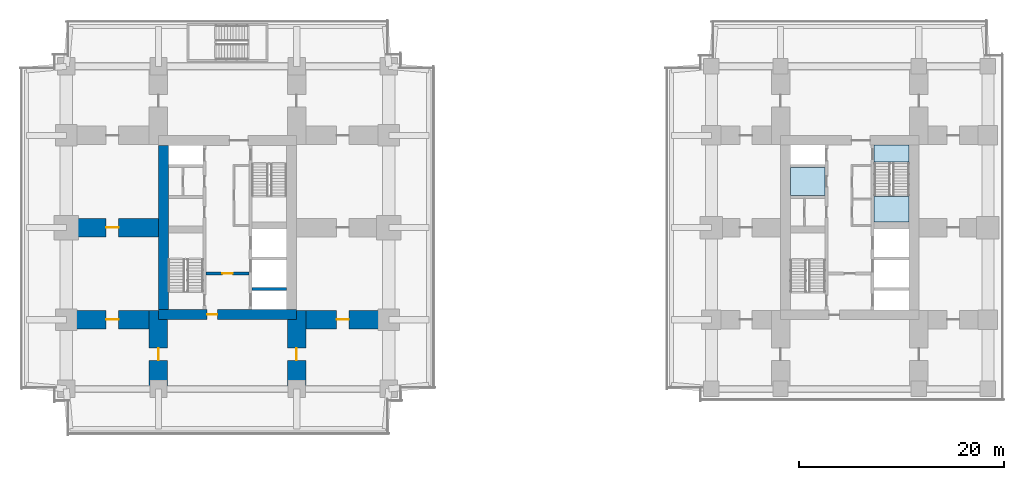
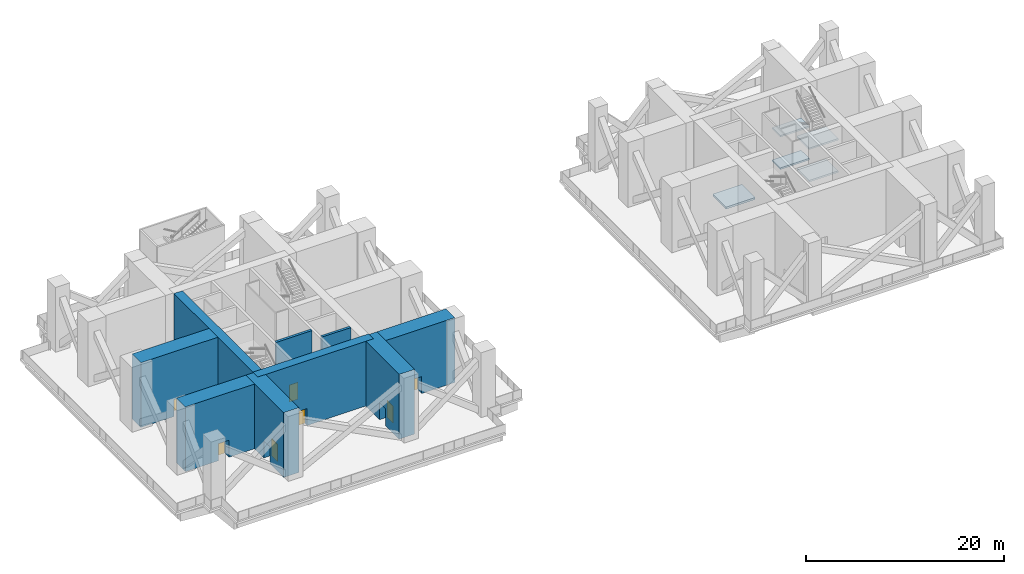
# One storey, part 3 of 11: 9 walls, 7 doors, 5 slabs, 7 openings, 1 element without a shape of its own.
"""IFC4 building model written with IfcOpenShell, lengths in metres."""

from ifc_helpers import new_model, si_unit, direction, frame, frame_2d, origin, place, context, subcontext, project, spatial, polyline, rectangle, outline, extrude, material, layer, layer_set, type_object, element, fill, aggregate, save


model = new_model("IFC4")

# Units and contexts
model_context = context("Model", 3, precision=1e-05, world=origin(), true_north=direction((0.0, 1.0)))
body_context = subcontext(model_context, "Body", "Model", "MODEL_VIEW")
ifc_project = project(units=[si_unit("LENGTHUNIT", "METRE"), si_unit("AREAUNIT", "SQUARE_METRE"), si_unit("VOLUMEUNIT", "CUBIC_METRE"), si_unit("PLANEANGLEUNIT", "RADIAN"), si_unit("MASSUNIT", "GRAM", prefix="KILO")], contexts=[model_context])

# Site, building, storey
site_placement = place(None, origin())
site = spatial("IfcSite", under=ifc_project, at=site_placement, CompositionType="ELEMENT")
building_placement = place(site_placement, origin())
building = spatial("IfcBuilding", under=site, at=building_placement, Name="Namib Vertical Campus", CompositionType="ELEMENT")
storey_placement = place(building_placement, frame((0.0, 0.0, 169.0)))
storey = spatial("IfcBuildingStorey", under=building, at=storey_placement, Name="L40", CompositionType="ELEMENT", Elevation=169.0)

# Slab
ifc_material_1 = material(Name="Concrete C40/50 precast", Category="concrete")
ifc_layer_1 = layer(ifc_material_1, 0.25)
ifc_layer_set_1 = layer_set([ifc_layer_1], Name="Concrete C40/50 precast")
slab_type_1 = type_object("IfcSlabType", Name="Shaft infill floor 250", PredefinedType="FLOOR", material=ifc_layer_set_1)
slab_1_placement = place(storey_placement, frame((0.0, 0.0, -0.25)))
element("IfcSlab", 1, at=slab_1_placement, inside=storey, type_object=slab_type_1, Name="Shaft infill floor B L40 P2", PredefinedType="FLOOR", context=body_context, shape_type="SweptSolid", body=[
    extrude(outline(polyline([(75.199951171875, 23.39990234375), (78.60009765625, 23.39990234375), (78.60009765625, 26.10009765625), (75.199951171875, 26.10009765625), (75.199951171875, 23.39990234375)])), origin(), (0.0, 0.0, 1.0), 0.25),
])

# Stair, slabs
ifc_material_2 = material(Name="Concrete C40/50 precast", Category="concrete")
stair_type = type_object("IfcStairType", Name="Exit stair 8000 rise 48 risers 3400 wide", PredefinedType="HALF_TURN_STAIR", material=ifc_material_2)
stair_placement = place(storey_placement, origin())
stair = element("IfcStair", 2, at=stair_placement, inside=storey, type_object=stair_type, Name="Exit stair B-S2 L40", PredefinedType="HALF_TURN_STAIR")
ifc_material_3 = material(Name="Concrete C40/50", Category="concrete")
ifc_layer_2 = layer(ifc_material_3, 0.199951171875)
ifc_layer_set_2 = layer_set([ifc_layer_2], Name="Concrete C40/50")
slab_type_2 = type_object("IfcSlabType", Name="Stair landing 200", PredefinedType="LANDING", material=ifc_layer_set_2)
slab_2_placement = place(storey_placement, frame((0.0, 0.0, -0.199951171875)))
slab_2 = element("IfcSlab", 3, at=slab_2_placement, type_object=slab_type_2, Name="B-S2 landing 1", PredefinedType="LANDING", context=body_context, shape_type="SweptSolid", body=[
    extrude(outline(polyline([(83.39990234375, 26.64599609375), (86.800048828125, 26.64599609375), (86.800048828125, 28.300048828125), (83.39990234375, 28.300048828125), (83.39990234375, 26.64599609375)])), origin(), (0.0, 0.0, 1.0), 0.199951171875),
])
slab_3_placement = place(storey_placement, frame((0.0, 0.0, 1.800048828125)))
slab_3 = element("IfcSlab", 4, at=slab_3_placement, type_object=slab_type_2, Name="B-S2 landing 2", PredefinedType="LANDING", context=body_context, shape_type="SweptSolid", body=[
    extrude(outline(polyline([(83.39990234375, 20.800048828125), (86.800048828125, 20.800048828125), (86.800048828125, 23.27392578125), (83.39990234375, 23.27392578125), (83.39990234375, 20.800048828125)])), origin(), (0.0, 0.0, 1.0), 0.199951171875),
])
slab_4_placement = place(storey_placement, frame((0.0, 0.0, 3.800048828125)))
slab_4 = element("IfcSlab", 5, at=slab_4_placement, type_object=slab_type_2, Name="B-S2 landing 3", PredefinedType="LANDING", context=body_context, shape_type="SweptSolid", body=[
    extrude(outline(polyline([(83.39990234375, 26.64599609375), (86.800048828125, 26.64599609375), (86.800048828125, 28.300048828125), (83.39990234375, 28.300048828125), (83.39990234375, 26.64599609375)])), origin(), (0.0, 0.0, 1.0), 0.199951171875),
])
slab_5_placement = place(storey_placement, frame((0.0, 0.0, 5.800048828125)))
slab_5 = element("IfcSlab", 6, at=slab_5_placement, type_object=slab_type_2, Name="B-S2 landing 4", PredefinedType="LANDING", context=body_context, shape_type="SweptSolid", body=[
    extrude(outline(polyline([(83.39990234375, 20.800048828125), (86.800048828125, 20.800048828125), (86.800048828125, 23.27392578125), (83.39990234375, 23.27392578125), (83.39990234375, 20.800048828125)])), origin(), (0.0, 0.0, 1.0), 0.199951171875),
])
aggregate(stair, [slab_2, slab_3, slab_4, slab_5])

# Wall, opening, door
ifc_material_4 = material(Name="Concrete C60/75", Category="concrete")
ifc_layer_3 = layer(ifc_material_4, 0.300048828125)
ifc_layer_set_3 = layer_set([ifc_layer_3], Name="Concrete C60/75")
wall_type_1 = type_object("IfcWallType", Name="Core inner wall 300", PredefinedType="SHEAR", material=ifc_layer_set_3)
wall_1_placement = place(storey_placement, frame((18.14990234375, 15.75, 0.0), z_axis=(0.0, 0.0, 1.0), x_axis=(1.0, 0.0, 0.0)))
wall_1 = element("IfcWall", 7, at=wall_1_placement, inside=storey, type_object=wall_type_1, Name="Core inner wall A L40 W4", PredefinedType="SHEAR", context=body_context, shape_type="SweptSolid", body=[
    extrude(rectangle(XDim=4.2001953125, YDim=0.300048828125, at=frame_2d((2.10009765625, 0.0))), origin(), (0.0, 0.0, 1.0), 8.0),
])
opening_1_placement = place(wall_1_placement, frame((1.60009765625, 0.0, 0.0)))
opening_1 = element("IfcOpeningElement", 8, at=opening_1_placement, cuts=wall_1, Name="Opening FD5", PredefinedType="OPENING", context=body_context, shape_type="SweptSolid", body=[
    extrude(rectangle(XDim=1.0, YDim=2.10009765625, at=frame_2d((0.5, 1.050048828125))), frame((0.0, 0.159912109375, 0.0), z_axis=(0.0, -1.0, 0.0), x_axis=(1.0, 0.0, 0.0)), (0.0, 0.0, 1.0), 0.320068359375),
])
ifc_material_5 = material(Name="Steel fire door", Category="steel")
door_type_1 = type_object("IfcDoorType", Name="Fire door 1000x2100 120 min", OperationType="SINGLE_SWING_RIGHT", PredefinedType="DOOR", material=ifc_material_5)
door_1_placement = place(opening_1_placement, frame((1.0, 0.0, 0.0), z_axis=(0.0, 0.0, 1.0), x_axis=(-1.0, 0.0, 0.0)))
door_1 = element("IfcDoor", 9, at=door_1_placement, inside=storey, type_object=door_type_1, Name="Lobby door FD5 A L40", OperationType="SINGLE_SWING_RIGHT", OverallHeight=2.10009765625, OverallWidth=1.0, PredefinedType="DOOR", context=body_context, shape_type="SweptSolid", body=[
    extrude(rectangle(XDim=1.0, YDim=2.10009765625, at=frame_2d((0.5, 1.050048828125))), frame((0.0, 0.02490234375, 0.0), z_axis=(0.0, -1.0, 0.0), x_axis=(1.0, 0.0, 0.0)), (0.0, 0.0, 1.0), 0.050048828125),
])
fill(opening_1, door_1)

# Wall
wall_2_placement = place(storey_placement, frame((22.64990234375, 14.25, 0.0), z_axis=(0.0, 0.0, 1.0), x_axis=(1.0, 0.0, 0.0)))
element("IfcWall", 10, at=wall_2_placement, inside=storey, type_object=wall_type_1, Name="Core inner wall A L40 W5", PredefinedType="SHEAR", context=body_context, shape_type="SweptSolid", body=[
    extrude(rectangle(XDim=3.35009765625, YDim=0.300048828125, at=frame_2d((1.675048828125, 0.0))), origin(), (0.0, 0.0, 1.0), 8.0),
])

# Wall, opening, door
ifc_material_6 = material(Name="Concrete C60/75", Category="concrete")
ifc_layer_4 = layer(ifc_material_6, 1.0)
ifc_layer_set_4 = layer_set([ifc_layer_4], Name="Concrete C60/75")
wall_type_2 = type_object("IfcWallType", Name="Core wall 1000", PredefinedType="SHEAR", material=ifc_layer_set_4)
wall_3_placement = place(storey_placement, frame((13.5, 11.75, 0.0), z_axis=(0.0, 0.0, 1.0), x_axis=(1.0, 0.0, 0.0)))
wall_3 = element("IfcWall", 11, at=wall_3_placement, inside=storey, type_object=wall_type_2, Name="Core wall A L40 1", PredefinedType="SHEAR", context=body_context, shape_type="SweptSolid", body=[
    extrude(rectangle(XDim=13.5, YDim=1.0, at=frame_2d((6.75, 0.0))), origin(), (0.0, 0.0, 1.0), 8.0),
])
opening_2_placement = place(wall_3_placement, frame((4.75, 0.0, 0.0)))
opening_2 = element("IfcOpeningElement", 12, at=opening_2_placement, cuts=wall_3, Name="Opening FD5", PredefinedType="OPENING", context=body_context, shape_type="SweptSolid", body=[
    extrude(rectangle(XDim=1.0, YDim=2.10009765625, at=frame_2d((0.5, 1.050048828125))), frame((0.0, 0.510009765625, 0.0), z_axis=(0.0, -1.0, 0.0), x_axis=(1.0, 0.0, 0.0)), (0.0, 0.0, 1.0), 1.02001953125),
])
door_2_placement = place(opening_2_placement, frame((1.0, 0.0, 0.0), z_axis=(0.0, 0.0, 1.0), x_axis=(-1.0, 0.0, 0.0)))
door_2 = element("IfcDoor", 13, at=door_2_placement, inside=storey, type_object=door_type_1, Name="Firefighting lobby door FD5 A L40", OperationType="SINGLE_SWING_LEFT", OverallHeight=2.10009765625, OverallWidth=1.0, PredefinedType="DOOR", context=body_context, shape_type="SweptSolid", body=[
    extrude(rectangle(XDim=1.0, YDim=2.10009765625, at=frame_2d((0.5, 1.050048828125))), frame((0.0, 0.02490234375, 0.0), z_axis=(0.0, -1.0, 0.0), x_axis=(1.0, 0.0, 0.0)), (0.0, 0.0, 1.0), 0.050048828125),
])
fill(opening_2, door_2)

# Wall
wall_4_placement = place(storey_placement, frame((14.0, 28.25, 0.0), z_axis=(0.0, 0.0, 1.0), x_axis=(0.0, -1.0, 0.0)))
element("IfcWall", 14, at=wall_4_placement, inside=storey, type_object=wall_type_2, Name="Core wall A L40 4", PredefinedType="SHEAR", context=body_context, shape_type="SweptSolid", body=[
    extrude(rectangle(XDim=16.0, YDim=1.0, at=frame_2d((8.0, 0.0))), origin(), (0.0, 0.0, 1.0), 8.0),
])

# Wall, opening, door
ifc_material_7 = material(Name="Concrete C60/75", Category="concrete")
ifc_layer_5 = layer(ifc_material_7, 1.800048828125)
ifc_layer_set_5 = layer_set([ifc_layer_5], Name="Concrete C60/75")
wall_type_3 = type_object("IfcWallType", Name="Outrigger wall 1800", PredefinedType="SHEAR", material=ifc_layer_set_5)
wall_5_placement = place(storey_placement, frame((13.5, 4.5, 0.0), z_axis=(0.0, 0.0, 1.0), x_axis=(0.0, 1.0, 0.0)))
wall_5 = element("IfcWall", 15, at=wall_5_placement, inside=storey, type_object=wall_type_3, Name="Outrigger wall A L40 OR1", PredefinedType="SHEAR", context=body_context, shape_type="SweptSolid", body=[
    extrude(rectangle(XDim=7.64990234375, YDim=1.800048828125, at=frame_2d((3.824951171875, 0.0))), origin(), (0.0, 0.0, 1.0), 8.0),
])
opening_3_placement = place(wall_5_placement, frame((2.77490234375, 0.0, 0.0)))
opening_3 = element("IfcOpeningElement", 16, at=opening_3_placement, cuts=wall_5, Name="Opening RD1", PredefinedType="OPENING", context=body_context, shape_type="SweptSolid", body=[
    extrude(rectangle(XDim=1.199951171875, YDim=2.10009765625, at=frame_2d((0.60009765625, 1.050048828125))), frame((0.0, 0.909912109375, 0.0), z_axis=(0.0, -1.0, 0.0), x_axis=(1.0, 0.0, 0.0)), (0.0, 0.0, 1.0), 1.820068359375),
])
ifc_material_8 = material(Name="Steel fire door", Category="steel")
door_type_2 = type_object("IfcDoorType", Name="Refuge door 1200x2100", OperationType="DOUBLE_DOOR_DOUBLE_SWING", PredefinedType="DOOR", material=ifc_material_8)
door_3_placement = place(opening_3_placement, origin())
door_3 = element("IfcDoor", 17, at=door_3_placement, inside=storey, type_object=door_type_2, Name="Refuge door RD1 A L40 OR1", OperationType="DOUBLE_DOOR_DOUBLE_SWING", OverallHeight=2.10009765625, OverallWidth=1.199951171875, PredefinedType="DOOR", context=body_context, shape_type="SweptSolid", body=[
    extrude(rectangle(XDim=1.199951171875, YDim=2.10009765625, at=frame_2d((0.60009765625, 1.050048828125))), frame((0.0, 0.02490234375, 0.0), z_axis=(0.0, -1.0, 0.0), x_axis=(1.0, 0.0, 0.0)), (0.0, 0.0, 1.0), 0.050048828125),
])
fill(opening_3, door_3)

wall_6_placement = place(storey_placement, frame((27.0, 4.5, 0.0), z_axis=(0.0, 0.0, 1.0), x_axis=(0.0, 1.0, 0.0)))
wall_6 = element("IfcWall", 18, at=wall_6_placement, inside=storey, type_object=wall_type_3, Name="Outrigger wall A L40 OR2", PredefinedType="SHEAR", context=body_context, shape_type="SweptSolid", body=[
    extrude(rectangle(XDim=7.64990234375, YDim=1.800048828125, at=frame_2d((3.824951171875, 0.0))), origin(), (0.0, 0.0, 1.0), 8.0),
])
opening_4_placement = place(wall_6_placement, frame((2.77490234375, 0.0, 0.0)))
opening_4 = element("IfcOpeningElement", 19, at=opening_4_placement, cuts=wall_6, Name="Opening RD1", PredefinedType="OPENING", context=body_context, shape_type="SweptSolid", body=[
    extrude(rectangle(XDim=1.199951171875, YDim=2.10009765625, at=frame_2d((0.60009765625, 1.050048828125))), frame((0.0, 0.909912109375, 0.0), z_axis=(0.0, -1.0, 0.0), x_axis=(1.0, 0.0, 0.0)), (0.0, 0.0, 1.0), 1.820068359375),
])
door_4_placement = place(opening_4_placement, origin())
door_4 = element("IfcDoor", 20, at=door_4_placement, inside=storey, type_object=door_type_2, Name="Refuge door RD1 A L40 OR2", OperationType="DOUBLE_DOOR_DOUBLE_SWING", OverallHeight=2.10009765625, OverallWidth=1.199951171875, PredefinedType="DOOR", context=body_context, shape_type="SweptSolid", body=[
    extrude(rectangle(XDim=1.199951171875, YDim=2.10009765625, at=frame_2d((0.60009765625, 1.050048828125))), frame((0.0, 0.02490234375, 0.0), z_axis=(0.0, -1.0, 0.0), x_axis=(1.0, 0.0, 0.0)), (0.0, 0.0, 1.0), 0.050048828125),
])
fill(opening_4, door_4)

wall_7_placement = place(storey_placement, frame((4.5, 20.25, 0.0), z_axis=(0.0, 0.0, 1.0), x_axis=(1.0, 0.0, 0.0)))
wall_7 = element("IfcWall", 21, at=wall_7_placement, inside=storey, type_object=wall_type_3, Name="Outrigger wall A L40 OR5", PredefinedType="SHEAR", context=body_context, shape_type="SweptSolid", body=[
    extrude(rectangle(XDim=9.0, YDim=1.800048828125, at=frame_2d((4.5, 0.0))), origin(), (0.0, 0.0, 1.0), 8.0),
])
opening_5_placement = place(wall_7_placement, frame((3.89990234375, 0.0, 0.0)))
opening_5 = element("IfcOpeningElement", 22, at=opening_5_placement, cuts=wall_7, Name="Opening RD1", PredefinedType="OPENING", context=body_context, shape_type="SweptSolid", body=[
    extrude(rectangle(XDim=1.199951171875, YDim=2.10009765625, at=frame_2d((0.60009765625, 1.050048828125))), frame((0.0, 0.909912109375, 0.0), z_axis=(0.0, -1.0, 0.0), x_axis=(1.0, 0.0, 0.0)), (0.0, 0.0, 1.0), 1.820068359375),
])
door_5_placement = place(opening_5_placement, origin())
door_5 = element("IfcDoor", 23, at=door_5_placement, inside=storey, type_object=door_type_2, Name="Refuge door RD1 A L40 OR5", OperationType="DOUBLE_DOOR_DOUBLE_SWING", OverallHeight=2.10009765625, OverallWidth=1.199951171875, PredefinedType="DOOR", context=body_context, shape_type="SweptSolid", body=[
    extrude(rectangle(XDim=1.199951171875, YDim=2.10009765625, at=frame_2d((0.60009765625, 1.050048828125))), frame((0.0, 0.02490234375, 0.0), z_axis=(0.0, -1.0, 0.0), x_axis=(1.0, 0.0, 0.0)), (0.0, 0.0, 1.0), 0.050048828125),
])
fill(opening_5, door_5)

wall_8_placement = place(storey_placement, frame((4.5, 11.25, 0.0), z_axis=(0.0, 0.0, 1.0), x_axis=(1.0, 0.0, 0.0)))
wall_8 = element("IfcWall", 24, at=wall_8_placement, inside=storey, type_object=wall_type_3, Name="Outrigger wall A L40 OR7", PredefinedType="SHEAR", context=body_context, shape_type="SweptSolid", body=[
    extrude(rectangle(XDim=8.10009765625, YDim=1.800048828125, at=frame_2d((4.050048828125, 0.0))), origin(), (0.0, 0.0, 1.0), 8.0),
])
opening_6_placement = place(wall_8_placement, frame((3.89990234375, 0.0, 0.0)))
opening_6 = element("IfcOpeningElement", 25, at=opening_6_placement, cuts=wall_8, Name="Opening RD1", PredefinedType="OPENING", context=body_context, shape_type="SweptSolid", body=[
    extrude(rectangle(XDim=1.199951171875, YDim=2.10009765625, at=frame_2d((0.60009765625, 1.050048828125))), frame((0.0, 0.909912109375, 0.0), z_axis=(0.0, -1.0, 0.0), x_axis=(1.0, 0.0, 0.0)), (0.0, 0.0, 1.0), 1.820068359375),
])
door_6_placement = place(opening_6_placement, origin())
door_6 = element("IfcDoor", 26, at=door_6_placement, inside=storey, type_object=door_type_2, Name="Refuge door RD1 A L40 OR7", OperationType="DOUBLE_DOOR_DOUBLE_SWING", OverallHeight=2.10009765625, OverallWidth=1.199951171875, PredefinedType="DOOR", context=body_context, shape_type="SweptSolid", body=[
    extrude(rectangle(XDim=1.199951171875, YDim=2.10009765625, at=frame_2d((0.60009765625, 1.050048828125))), frame((0.0, 0.02490234375, 0.0), z_axis=(0.0, -1.0, 0.0), x_axis=(1.0, 0.0, 0.0)), (0.0, 0.0, 1.0), 0.050048828125),
])
fill(opening_6, door_6)

wall_9_placement = place(storey_placement, frame((27.89990234375, 11.25, 0.0), z_axis=(0.0, 0.0, 1.0), x_axis=(1.0, 0.0, 0.0)))
wall_9 = element("IfcWall", 27, at=wall_9_placement, inside=storey, type_object=wall_type_3, Name="Outrigger wall A L40 OR8", PredefinedType="SHEAR", context=body_context, shape_type="SweptSolid", body=[
    extrude(rectangle(XDim=8.10009765625, YDim=1.800048828125, at=frame_2d((4.050048828125, 0.0))), origin(), (0.0, 0.0, 1.0), 8.0),
])
opening_7_placement = place(wall_9_placement, frame((3.0, 0.0, 0.0)))
opening_7 = element("IfcOpeningElement", 28, at=opening_7_placement, cuts=wall_9, Name="Opening RD1", PredefinedType="OPENING", context=body_context, shape_type="SweptSolid", body=[
    extrude(rectangle(XDim=1.199951171875, YDim=2.10009765625, at=frame_2d((0.60009765625, 1.050048828125))), frame((0.0, 0.909912109375, 0.0), z_axis=(0.0, -1.0, 0.0), x_axis=(1.0, 0.0, 0.0)), (0.0, 0.0, 1.0), 1.820068359375),
])
door_7_placement = place(opening_7_placement, origin())
door_7 = element("IfcDoor", 29, at=door_7_placement, inside=storey, type_object=door_type_2, Name="Refuge door RD1 A L40 OR8", OperationType="DOUBLE_DOOR_DOUBLE_SWING", OverallHeight=2.10009765625, OverallWidth=1.199951171875, PredefinedType="DOOR", context=body_context, shape_type="SweptSolid", body=[
    extrude(rectangle(XDim=1.199951171875, YDim=2.10009765625, at=frame_2d((0.60009765625, 1.050048828125))), frame((0.0, 0.02490234375, 0.0), z_axis=(0.0, -1.0, 0.0), x_axis=(1.0, 0.0, 0.0)), (0.0, 0.0, 1.0), 0.050048828125),
])
fill(opening_7, door_7)

save(model, "model.ifc")
